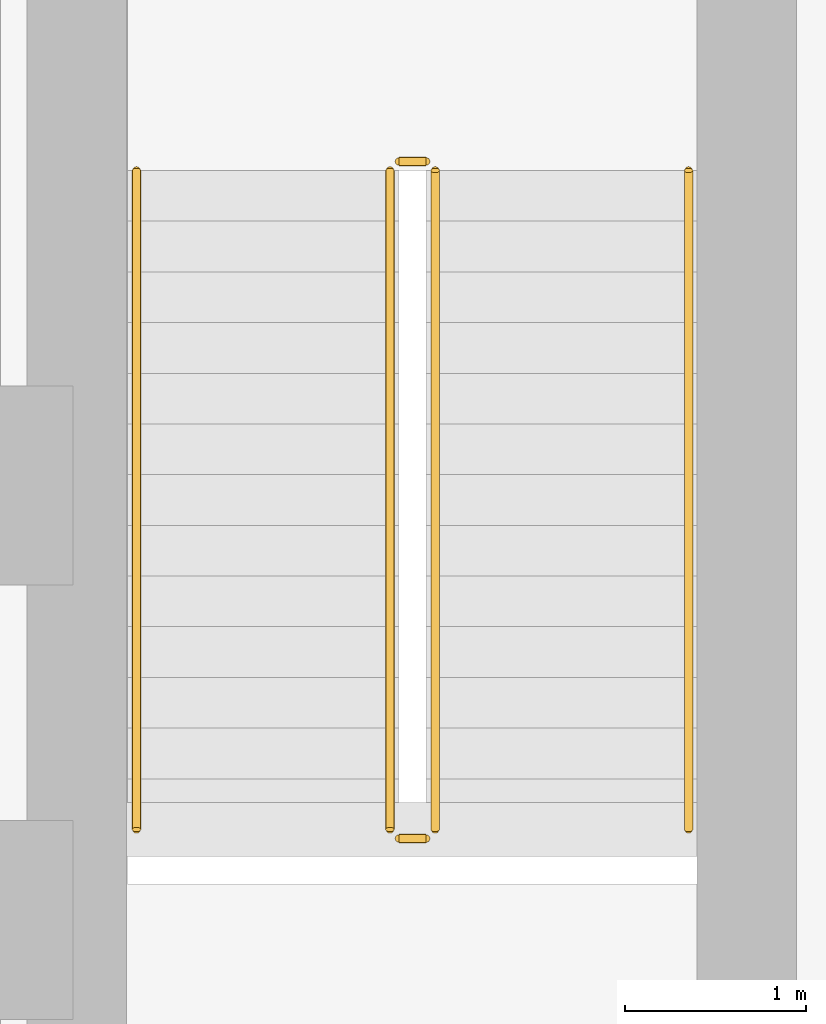
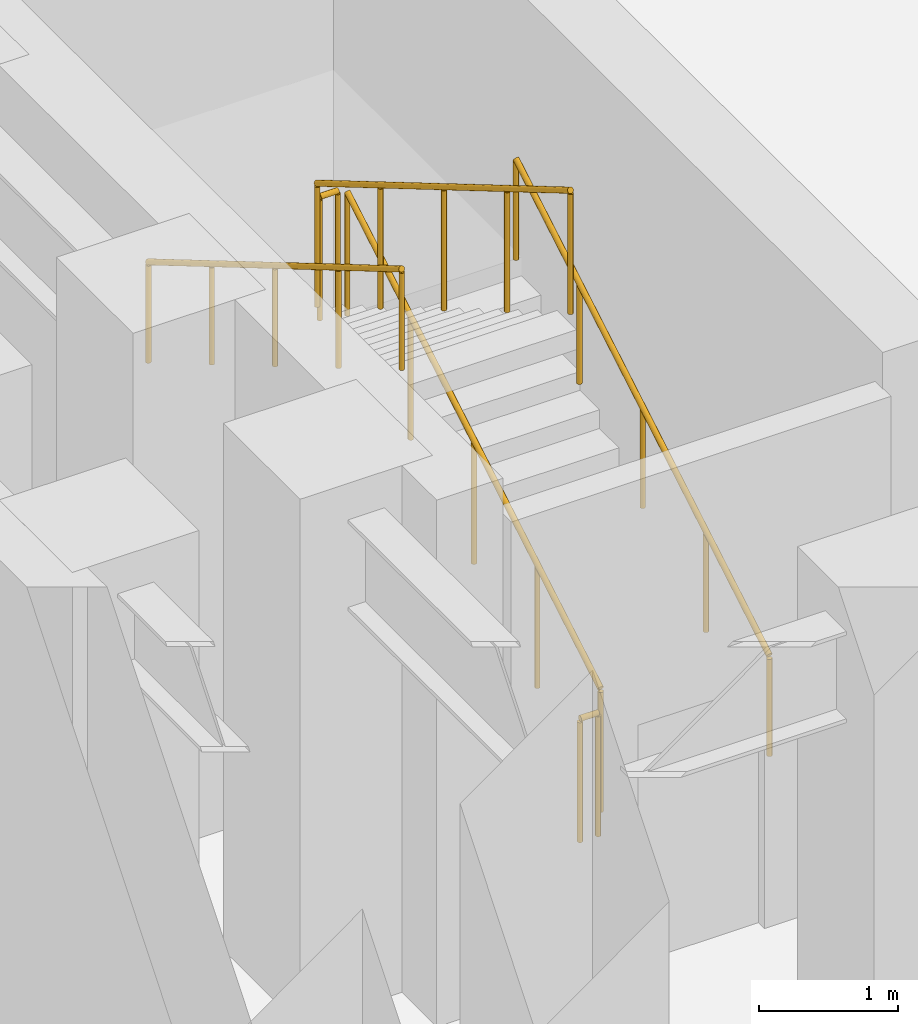
# One storey, part 9 of 12: 6 railings.
"""IFC4 building model written with IfcOpenShell, lengths in metres."""

from ifc_helpers import new_model, si_unit, direction, frame, origin, origin_2d, place, context, subcontext, project, spatial, circle, extrude, material, type_object, element, save


model = new_model("IFC4")

# Units and contexts
model_context = context("Model", 3, precision=1e-05, world=origin(), true_north=direction((0.0, 1.0)))
body_context = subcontext(model_context, "Body", "Model", "MODEL_VIEW")
ifc_project = project(units=[si_unit("LENGTHUNIT", "METRE"), si_unit("AREAUNIT", "SQUARE_METRE"), si_unit("VOLUMEUNIT", "CUBIC_METRE"), si_unit("PLANEANGLEUNIT", "RADIAN"), si_unit("MASSUNIT", "GRAM", prefix="KILO")], contexts=[model_context])

# Site, building, storey
site_placement = place(None, origin())
site = spatial("IfcSite", under=ifc_project, at=site_placement, CompositionType="ELEMENT")
building_placement = place(site_placement, origin())
building = spatial("IfcBuilding", under=site, at=building_placement, Name="Kefirva Bronze Tower", CompositionType="ELEMENT")
storey_placement = place(building_placement, frame((0.0, 0.0, -4.6201171875)))
storey = spatial("IfcBuildingStorey", under=building, at=storey_placement, Name="B1", CompositionType="ELEMENT", Elevation=-4.6201171875)

# Railings
ifc_material = material(Name="Stainless steel 316", Category="steel")
railing_type_1 = type_object("IfcRailingType", Name="Interior Stair Guardrail 1100mm", PredefinedType="GUARDRAIL", material=ifc_material)
railing_1_placement = place(storey_placement, frame((3.35009765625, 4.699951171875, 0.1650390625)))
element("IfcRailing", 1, at=railing_1_placement, inside=storey, type_object=railing_type_1, Name="B1 ST-3 stair guard 1", PredefinedType="GUARDRAIL", context=body_context, shape_type="SweptSolid", body=[
    extrude(circle(Radius=0.02392578125, at=origin_2d()), frame((0.0, 0.0, 1.076171875), z_axis=(0.0, 0.861544779993, 0.507681585313), x_axis=(-1.0, 0.0, 0.0)), (0.0, 0.0, 1.0), 4.22509765625),
    extrude(circle(Radius=0.02099609375, at=origin_2d()), origin(), (0.0, 0.0, 1.0), 1.052001953125),
    extrude(circle(Radius=0.02099609375, at=origin_2d()), frame((0.0, 0.91015625, 0.5361328125)), (0.0, 0.0, 1.0), 1.052001953125),
    extrude(circle(Radius=0.02099609375, at=origin_2d()), frame((0.0, 1.820068359375, 1.072509765625)), (0.0, 0.0, 1.0), 1.052001953125),
    extrude(circle(Radius=0.02099609375, at=origin_2d()), frame((0.0, 2.72998046875, 1.60888671875)), (0.0, 0.0, 1.0), 1.052001953125),
    extrude(circle(Radius=0.02099609375, at=origin_2d()), frame((0.0, 3.64013671875, 2.14501953125)), (0.0, 0.0, 1.0), 1.052001953125),
])
railing_2_placement = place(storey_placement, frame((3.300048828125, 8.389892578125, 2.31005859375)))
element("IfcRailing", 2, at=railing_2_placement, inside=storey, type_object=railing_type_1, Name="B1 ST-3 stair guard 2", PredefinedType="GUARDRAIL", context=body_context, shape_type="SweptSolid", body=[
    extrude(circle(Radius=0.02392578125, at=origin_2d()), frame((0.0, 0.0, 1.076171875), z_axis=(-1.0, 0.0, 0.0), x_axis=(0.0, -1.0, 0.0)), (0.0, 0.0, 1.0), 0.150146484375),
    extrude(circle(Radius=0.02099609375, at=origin_2d()), origin(), (0.0, 0.0, 1.0), 1.052001953125),
    extrude(circle(Radius=0.02099609375, at=origin_2d()), frame((-0.150146484375, 0.0, 0.0)), (0.0, 0.0, 1.0), 1.052001953125),
])
railing_3_placement = place(storey_placement, frame((3.10009765625, 8.340087890625, 2.47509765625)))
element("IfcRailing", 3, at=railing_3_placement, inside=storey, type_object=railing_type_1, Name="B1 ST-3 stair guard 3", PredefinedType="GUARDRAIL", context=body_context, shape_type="SweptSolid", body=[
    extrude(circle(Radius=0.02392578125, at=origin_2d()), frame((0.0, 0.0, 1.076171875), z_axis=(0.0, -0.861544779993, 0.507681585313), x_axis=(1.0, 0.0, 0.0)), (0.0, 0.0, 1.0), 4.22509765625),
    extrude(circle(Radius=0.02099609375, at=origin_2d()), origin(), (0.0, 0.0, 1.0), 1.052001953125),
    extrude(circle(Radius=0.02099609375, at=origin_2d()), frame((0.0, -0.91015625, 0.5361328125)), (0.0, 0.0, 1.0), 1.052001953125),
    extrude(circle(Radius=0.02099609375, at=origin_2d()), frame((0.0, -1.820068359375, 1.072509765625)), (0.0, 0.0, 1.0), 1.052001953125),
    extrude(circle(Radius=0.02099609375, at=origin_2d()), frame((0.0, -2.72998046875, 1.60888671875)), (0.0, 0.0, 1.0), 1.052001953125),
    extrude(circle(Radius=0.02099609375, at=origin_2d()), frame((0.0, -3.64013671875, 2.14501953125)), (0.0, 0.0, 1.0), 1.052001953125),
])
railing_4_placement = place(storey_placement, frame((3.300048828125, 4.64990234375, 0.0)))
element("IfcRailing", 4, at=railing_4_placement, inside=storey, type_object=railing_type_1, Name="B1 ST-3 stair guard 4", PredefinedType="GUARDRAIL", context=body_context, shape_type="SweptSolid", body=[
    extrude(circle(Radius=0.02392578125, at=origin_2d()), frame((0.0, 0.0, 1.076171875), z_axis=(-1.0, 0.0, 0.0), x_axis=(0.0, -1.0, 0.0)), (0.0, 0.0, 1.0), 0.150146484375),
    extrude(circle(Radius=0.02099609375, at=origin_2d()), origin(), (0.0, 0.0, 1.0), 1.052001953125),
    extrude(circle(Radius=0.02099609375, at=origin_2d()), frame((-0.150146484375, 0.0, 0.0)), (0.0, 0.0, 1.0), 1.052001953125),
])
railing_type_2 = type_object("IfcRailingType", Name="Stair Pitch Handrail 900mm", PredefinedType="HANDRAIL", material=ifc_material)
railing_5_placement = place(storey_placement, frame((4.75, 4.699951171875, 0.1650390625)))
element("IfcRailing", 5, at=railing_5_placement, inside=storey, type_object=railing_type_2, Name="B1 ST-3 stair handrail 1", PredefinedType="HANDRAIL", context=body_context, shape_type="SweptSolid", body=[
    extrude(circle(Radius=0.02392578125, at=origin_2d()), frame((0.0, 0.0, 0.8759765625), z_axis=(0.0, 0.861544779993, 0.507681585313), x_axis=(-1.0, 0.0, 0.0)), (0.0, 0.0, 1.0), 4.22509765625),
    extrude(circle(Radius=0.02099609375, at=origin_2d()), origin(), (0.0, 0.0, 1.0), 0.851806640625),
    extrude(circle(Radius=0.02099609375, at=origin_2d()), frame((0.0, 0.91015625, 0.5361328125)), (0.0, 0.0, 1.0), 0.851806640625),
    extrude(circle(Radius=0.02099609375, at=origin_2d()), frame((0.0, 1.820068359375, 1.072509765625)), (0.0, 0.0, 1.0), 0.851806640625),
    extrude(circle(Radius=0.02099609375, at=origin_2d()), frame((0.0, 2.72998046875, 1.60888671875)), (0.0, 0.0, 1.0), 0.851806640625),
    extrude(circle(Radius=0.02099609375, at=origin_2d()), frame((0.0, 3.64013671875, 2.14501953125)), (0.0, 0.0, 1.0), 0.851806640625),
])
railing_6_placement = place(storey_placement, frame((1.699951171875, 8.340087890625, 2.47509765625)))
element("IfcRailing", 6, at=railing_6_placement, inside=storey, type_object=railing_type_2, Name="B1 ST-3 stair handrail 2", PredefinedType="HANDRAIL", context=body_context, shape_type="SweptSolid", body=[
    extrude(circle(Radius=0.02392578125, at=origin_2d()), frame((0.0, 0.0, 0.8759765625), z_axis=(0.0, -0.861544779993, 0.507681585313), x_axis=(1.0, 0.0, 0.0)), (0.0, 0.0, 1.0), 4.22509765625),
    extrude(circle(Radius=0.02099609375, at=origin_2d()), origin(), (0.0, 0.0, 1.0), 0.851806640625),
    extrude(circle(Radius=0.02099609375, at=origin_2d()), frame((0.0, -0.91015625, 0.5361328125)), (0.0, 0.0, 1.0), 0.851806640625),
    extrude(circle(Radius=0.02099609375, at=origin_2d()), frame((0.0, -1.820068359375, 1.072509765625)), (0.0, 0.0, 1.0), 0.851806640625),
    extrude(circle(Radius=0.02099609375, at=origin_2d()), frame((0.0, -2.72998046875, 1.60888671875)), (0.0, 0.0, 1.0), 0.851806640625),
    extrude(circle(Radius=0.02099609375, at=origin_2d()), frame((0.0, -3.64013671875, 2.14501953125)), (0.0, 0.0, 1.0), 0.851806640625),
])

save(model, "model.ifc")
